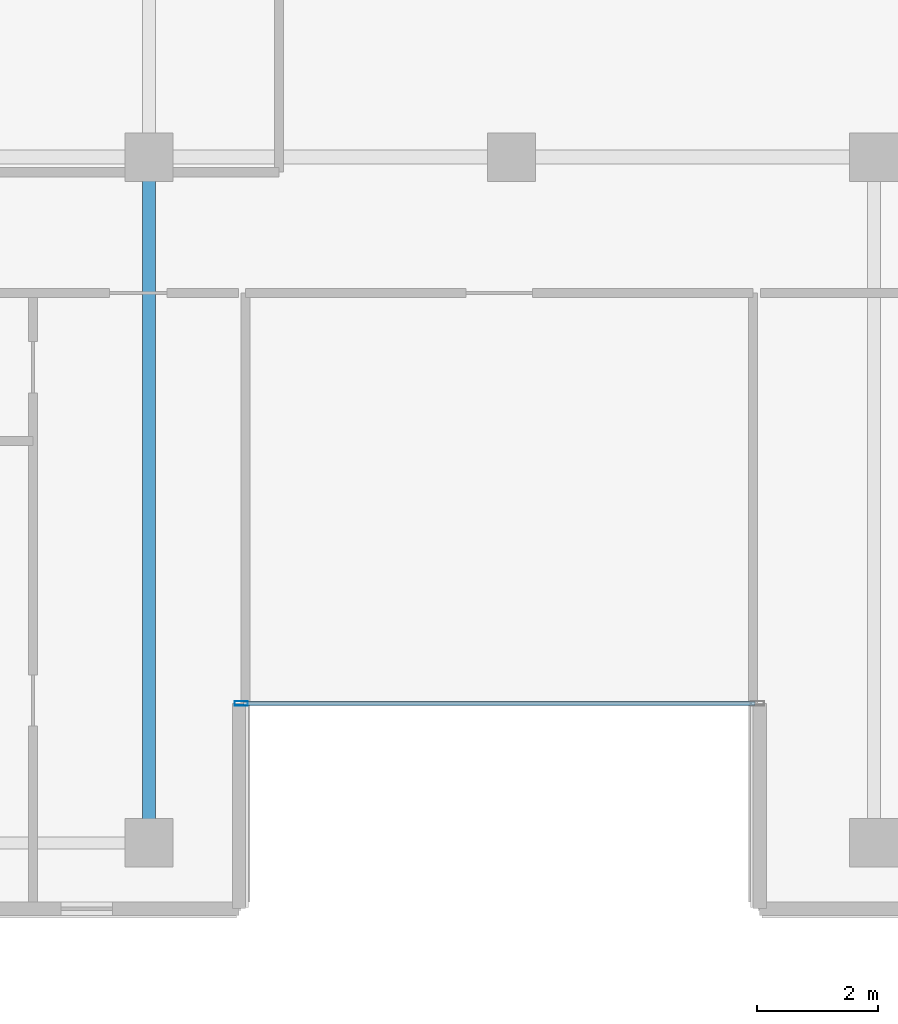
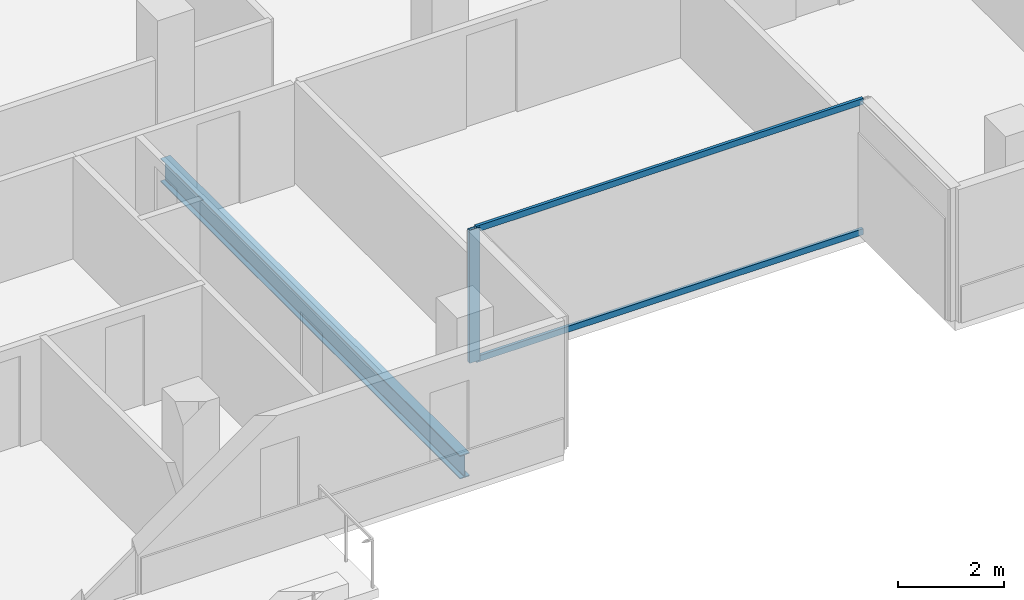
# One storey, part 2 of 20: 3 members, 1 beam, 1 element without a shape of its own.
"""IFC4 building model written with IfcOpenShell, lengths in metres."""

from ifc_helpers import new_model, si_unit, direction, frame, origin, origin_2d, place, context, subcontext, project, spatial, hollow_rectangle, i_section, extrude, material, layer, layer_set, material_profile, profile_set, type_object, element, aggregate, save


model = new_model("IFC4")

# Units and contexts
model_context = context("Model", 3, precision=1e-05, world=origin(), true_north=direction((0.0, 1.0)))
body_context = subcontext(model_context, "Body", "Model", "MODEL_VIEW")
ifc_project = project(units=[si_unit("LENGTHUNIT", "METRE"), si_unit("AREAUNIT", "SQUARE_METRE"), si_unit("VOLUMEUNIT", "CUBIC_METRE"), si_unit("PLANEANGLEUNIT", "RADIAN"), si_unit("MASSUNIT", "GRAM", prefix="KILO")], contexts=[model_context])

# Site, building, storey
site_placement = place(None, origin())
site = spatial("IfcSite", under=ifc_project, at=site_placement, CompositionType="ELEMENT")
building_placement = place(site_placement, origin())
building = spatial("IfcBuilding", under=site, at=building_placement, Name="Tanjung Sevakor Pilgrim Tower", CompositionType="ELEMENT")
storey_placement = place(building_placement, frame((0.0, 0.0, 201.6298828125)))
storey = spatial("IfcBuildingStorey", under=building, at=storey_placement, Name="L56", CompositionType="ELEMENT", Elevation=201.6298828125)

# Beam
ifc_material_1 = material(Name="Steel S355J2", Category="steel")
ifc_material_profile_1 = material_profile(ifc_material_1, i_section(OverallWidth=0.2119140625, OverallDepth=0.54443359375, WebThickness=0.0126953125, FlangeThickness=0.021240234375, FilletRadius=0.0126953125, at=origin_2d()))
ifc_profile_set_1 = profile_set([ifc_material_profile_1], Name="Steel S355J2")
beam_type = type_object("IfcBeamType", Name="BM-B-G5-UB_533x210x122", PredefinedType="BEAM", material=ifc_profile_set_1)
beam_placement = place(storey_placement, frame((42.0, 13.25, -0.4921875), z_axis=(0.0, 1.0, 0.0), x_axis=(-1.0, 0.0, 0.0)))
element("IfcBeam", 1, at=beam_placement, inside=storey, type_object=beam_type, Name="L56 MAIN Girder 001", PredefinedType="BEAM", context=body_context, shape_type="SweptSolid", body=[
    extrude(i_section(OverallWidth=0.2119140625, OverallDepth=0.54443359375, WebThickness=0.0126953125, FlangeThickness=0.021240234375, FilletRadius=0.0126953125, at=origin_2d()), origin(), (0.0, 0.0, 1.0), 11.35009765625),
])

# Curtain wall, members
ifc_material_2 = material(Name="Aluminium 6063-T6 and Low-E Glass", Category="aluminium")
ifc_layer = layer(ifc_material_2, 0.179931640625)
ifc_layer_set = layer_set([ifc_layer], Name="CW-SYS-CLEFT")
curtain_wall_type = type_object("IfcCurtainWallType", Name="CW-SYS-CLEFT", PredefinedType="NOTDEFINED", material=ifc_layer_set)
curtain_wall_placement = place(storey_placement, origin())
curtain_wall = element("IfcCurtainWall", 2, at=curtain_wall_placement, inside=storey, type_object=curtain_wall_type, Name="L56 Curtain Wall CW-CLF-L56-2", PredefinedType="NOTDEFINED")
ifc_material_3 = material(Name="Aluminium 6063-T6", Category="aluminium")
ifc_material_profile_2 = material_profile(ifc_material_3, hollow_rectangle(XDim=0.074951171875, YDim=0.219970703125, WallThickness=0.0048828125, at=origin_2d()))
ifc_profile_set_2 = profile_set([ifc_material_profile_2], Name="Aluminium 6063-T6")
member_type_1 = type_object("IfcMemberType", Name="TYPE-CWM-2", PredefinedType="MULLION", material=ifc_profile_set_2)
member_1_placement = place(storey_placement, frame((43.527587890625, 15.56005859375, 0.0), z_axis=(0.0, 0.0, 1.0), x_axis=(0.0, 1.0, 0.0)))
member_1 = element("IfcMember", 3, at=member_1_placement, type_object=member_type_1, Name="CW-CLF mullion 1", PredefinedType="MULLION", context=body_context, shape_type="SweptSolid", body=[
    extrude(hollow_rectangle(XDim=0.074951171875, YDim=0.219970703125, WallThickness=0.0048828125, at=origin_2d()), origin(), (0.0, 0.0, 1.0), 3.080078125),
])
ifc_material_4 = material(Name="Aluminium 6063-T6", Category="aluminium")
ifc_material_profile_3 = material_profile(ifc_material_4, hollow_rectangle(XDim=0.06494140625, YDim=0.139892578125, WallThickness=0.00390625, at=origin_2d()))
ifc_profile_set_3 = profile_set([ifc_material_profile_3], Name="Aluminium 6063-T6")
member_type_2 = type_object("IfcMemberType", Name="TYPE-CWT-1", PredefinedType="USERDEFINED", material=ifc_profile_set_3)
member_2_placement = place(storey_placement, frame((43.56494140625, 15.56005859375, 0.03271484375), z_axis=(1.0, 0.0, 0.0), x_axis=(0.0, 1.0, 0.0)))
member_2 = element("IfcMember", 4, at=member_2_placement, type_object=member_type_2, Name="CW-CLF transom 1.1", ObjectType="TRANSOM", PredefinedType="USERDEFINED", context=body_context, shape_type="SweptSolid", body=[
    extrude(hollow_rectangle(XDim=0.06494140625, YDim=0.139892578125, WallThickness=0.00390625, at=origin_2d()), origin(), (0.0, 0.0, 1.0), 8.469970703125),
])
member_3_placement = place(storey_placement, frame((43.56494140625, 15.56005859375, 3.047607421875), z_axis=(1.0, 0.0, 0.0), x_axis=(0.0, 1.0, 0.0)))
member_3 = element("IfcMember", 5, at=member_3_placement, type_object=member_type_2, Name="CW-CLF transom 1.2", ObjectType="TRANSOM", PredefinedType="USERDEFINED", context=body_context, shape_type="SweptSolid", body=[
    extrude(hollow_rectangle(XDim=0.06494140625, YDim=0.139892578125, WallThickness=0.00390625, at=origin_2d()), origin(), (0.0, 0.0, 1.0), 8.469970703125),
])
aggregate(curtain_wall, [member_1, member_2, member_3])

save(model, "model.ifc")
